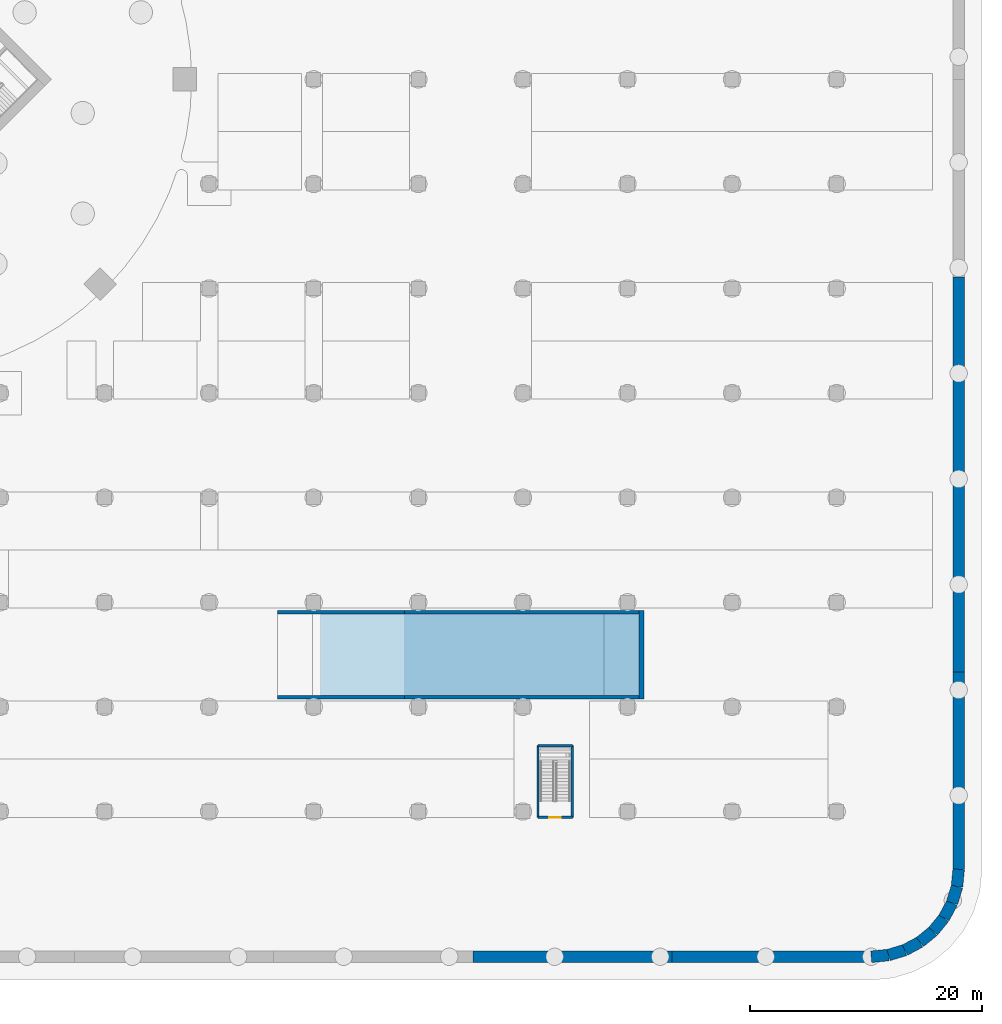
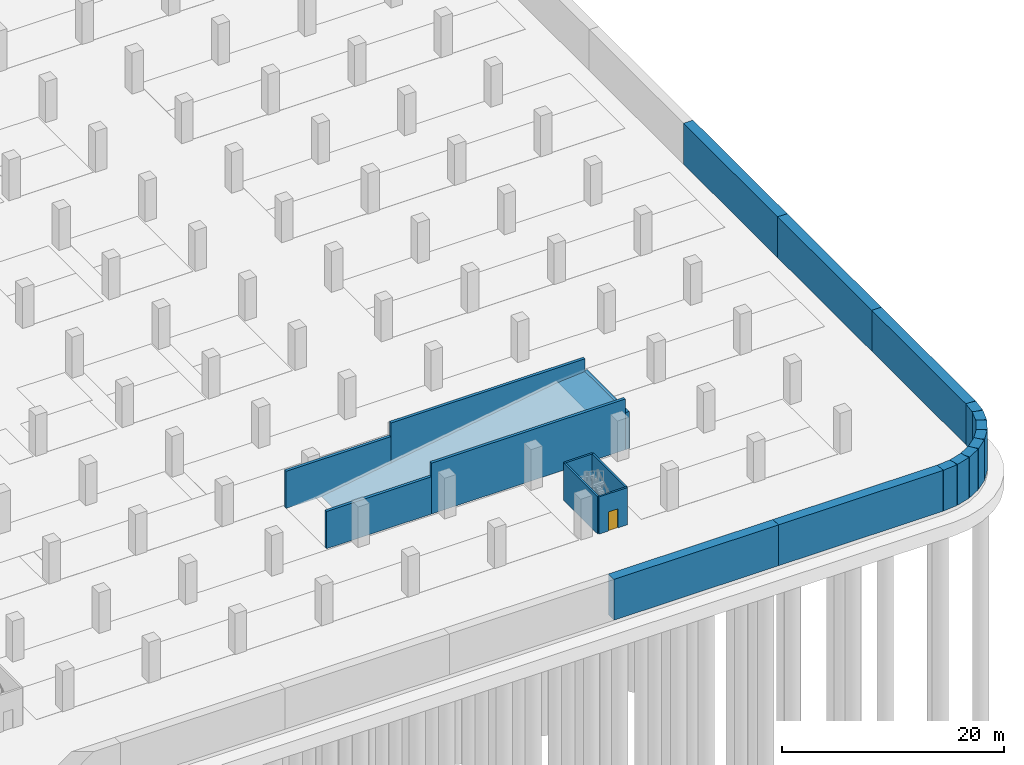
# One storey, part 17 of 39: 23 walls, 1 door, 1 opening.
"""IFC4 building model written with IfcOpenShell, lengths in metres."""

from ifc_helpers import new_model, si_unit, direction, frame, frame_2d, origin, place, context, subcontext, project, spatial, polyline, rectangle, outline, extrude, material, layer, layer_set, type_object, element, fill, save


model = new_model("IFC4")

# Units and contexts
model_context = context("Model", 3, precision=1e-05, world=origin(), true_north=direction((0.0, 1.0)))
body_context = subcontext(model_context, "Body", "Model", "MODEL_VIEW")
ifc_project = project(units=[si_unit("LENGTHUNIT", "METRE"), si_unit("AREAUNIT", "SQUARE_METRE"), si_unit("VOLUMEUNIT", "CUBIC_METRE"), si_unit("PLANEANGLEUNIT", "RADIAN"), si_unit("MASSUNIT", "GRAM", prefix="KILO")], contexts=[model_context])

# Site, building, storey
site_placement = place(None, origin())
site = spatial("IfcSite", under=ifc_project, at=site_placement, CompositionType="ELEMENT")
building_placement = place(site_placement, origin())
building = spatial("IfcBuilding", under=site, at=building_placement, Name="Ogive Gate Towers", CompositionType="ELEMENT")
storey_placement = place(building_placement, frame((0.0, 0.0, -9.0)))
storey = spatial("IfcBuildingStorey", under=building, at=storey_placement, Name="B2", CompositionType="ELEMENT", Elevation=-9.0)

# Wall, opening, door
ifc_material_1 = material(Name="Reinforced concrete C32/40", Category="concrete")
ifc_layer_1 = layer(ifc_material_1, 0.199951171875)
ifc_layer_set_1 = layer_set([ifc_layer_1], Name="Car park stair shaft wall 200")
wall_type_1 = type_object("IfcWallType", Name="Car park stair shaft wall 200", PredefinedType="SOLIDWALL", material=ifc_layer_set_1)
wall_1_placement = place(storey_placement, frame((94.25, -63.5, 0.0), z_axis=(0.0, 0.0, 1.0), x_axis=(-1.0, 0.0, 0.0)))
wall_1 = element("IfcWall", 1, at=wall_1_placement, inside=storey, type_object=wall_type_1, Name="CS8 stair shaft wall B2 1", PredefinedType="SOLIDWALL", context=body_context, shape_type="SweptSolid", body=[
    extrude(rectangle(XDim=2.949951171875, YDim=0.199951171875, at=frame_2d((1.47509765625, 0.0))), origin(), (0.0, 0.0, 1.0), 4.10009765625),
])
opening_placement = place(wall_1_placement, frame((0.97509765625, 0.0, 0.0)))
opening = element("IfcOpeningElement", 2, at=opening_placement, cuts=wall_1, Name="Opening CPD38-B2", PredefinedType="OPENING", context=body_context, shape_type="SweptSolid", body=[
    extrude(rectangle(XDim=1.0, YDim=2.10009765625, at=frame_2d((0.5, 1.050048828125))), frame((0.0, 0.10986328125, 0.0), z_axis=(0.0, -1.0, 0.0), x_axis=(1.0, 0.0, 0.0)), (0.0, 0.0, 1.0), 0.219970703125),
])
ifc_material_2 = material(Name="Painted steel door", Category="steel")
door_type = type_object("IfcDoorType", Name="Stair house door 1000 x 2100", OperationType="SINGLE_SWING_LEFT", PredefinedType="DOOR", material=ifc_material_2)
door_placement = place(opening_placement, origin())
door = element("IfcDoor", 3, at=door_placement, inside=storey, type_object=door_type, Name="Door CS8 stair B2", OperationType="SINGLE_SWING_LEFT", OverallHeight=2.10009765625, OverallWidth=1.0, PredefinedType="DOOR", context=body_context, shape_type="SweptSolid", body=[
    extrude(rectangle(XDim=1.0, YDim=2.10009765625, at=frame_2d((0.5, 1.050048828125))), frame((0.0, 0.02490234375, 0.0), z_axis=(0.0, -1.0, 0.0), x_axis=(1.0, 0.0, 0.0)), (0.0, 0.0, 1.0), 0.050048828125),
])
fill(opening, door)

# Walls
wall_2_placement = place(storey_placement, frame((91.300048828125, -63.5, 0.0), z_axis=(0.0, 0.0, 1.0), x_axis=(0.0, 1.0, 0.0)))
element("IfcWall", 4, at=wall_2_placement, inside=storey, type_object=wall_type_1, Name="CS8 stair shaft wall B2 2", PredefinedType="SOLIDWALL", context=body_context, shape_type="SweptSolid", body=[
    extrude(rectangle(XDim=6.159912109375, YDim=0.199951171875, at=frame_2d((3.080078125, 0.0))), origin(), (0.0, 0.0, 1.0), 4.10009765625),
])
wall_3_placement = place(storey_placement, frame((91.300048828125, -57.340087890625, 0.0), z_axis=(0.0, 0.0, 1.0), x_axis=(1.0, 0.0, 0.0)))
element("IfcWall", 5, at=wall_3_placement, inside=storey, type_object=wall_type_1, Name="CS8 stair shaft wall B2 3", PredefinedType="SOLIDWALL", context=body_context, shape_type="SweptSolid", body=[
    extrude(rectangle(XDim=2.949951171875, YDim=0.199951171875, at=frame_2d((1.47509765625, 0.0))), origin(), (0.0, 0.0, 1.0), 4.10009765625),
])
wall_4_placement = place(storey_placement, frame((94.25, -57.340087890625, 0.0), z_axis=(0.0, 0.0, 1.0), x_axis=(0.0, -1.0, 0.0)))
element("IfcWall", 6, at=wall_4_placement, inside=storey, type_object=wall_type_1, Name="CS8 stair shaft wall B2 4", PredefinedType="SOLIDWALL", context=body_context, shape_type="SweptSolid", body=[
    extrude(rectangle(XDim=6.159912109375, YDim=0.199951171875, at=frame_2d((3.080078125, 0.0))), origin(), (0.0, 0.0, 1.0), 4.10009765625),
])
ifc_material_3 = material(Name="Concrete C32/40", Category="concrete")
ifc_layer_2 = layer(ifc_material_3, 7.0)
ifc_layer_set_2 = layer_set([ifc_layer_2], Name="Ramp bed 7000")
wall_type_2 = type_object("IfcWallType", Name="Ramp bed 7000", PredefinedType="SOLIDWALL", material=ifc_layer_set_2)
wall_5_placement = place(storey_placement, frame((100.0, -49.5, 0.0), z_axis=(0.0, 0.0, 1.0), x_axis=(-1.0, 0.0, 0.0)))
element("IfcWall", 7, at=wall_5_placement, inside=storey, type_object=wall_type_2, Name="Basement car ramp east bed", PredefinedType="SOLIDWALL", context=body_context, shape_type="SweptSolid", body=[
    extrude(outline(polyline([(0.0, 0.0), (27.4375, 0.0), (27.4375, 0.050048828125), (3.0, 3.9599609375), (0.0, 4.199951171875), (0.0, 0.0)])), frame((0.0, 3.5, 0.0), z_axis=(0.0, -1.0, 0.0), x_axis=(1.0, 0.0, 0.0)), (0.0, 0.0, 1.0), 7.0),
])
ifc_layer_3 = layer(ifc_material_3, 0.39990234375)
ifc_layer_set_3 = layer_set([ifc_layer_3], Name="Ramp end wall 400")
wall_type_3 = type_object("IfcWallType", Name="Ramp end wall 400", PredefinedType="SOLIDWALL", material=ifc_layer_set_3)
wall_6_placement = place(storey_placement, frame((100.199951171875, -53.300048828125, 0.0), z_axis=(0.0, 0.0, 1.0), x_axis=(0.0, 1.0, 0.0)))
element("IfcWall", 8, at=wall_6_placement, inside=storey, type_object=wall_type_3, Name="Ramp end wall 18", PredefinedType="SOLIDWALL", context=body_context, shape_type="SweptSolid", body=[
    extrude(rectangle(XDim=7.60009765625, YDim=0.39990234375, at=frame_2d((3.800048828125, 0.0))), origin(), (0.0, 0.0, 1.0), 4.10009765625),
])
ifc_layer_4 = layer(ifc_material_3, 0.300048828125)
ifc_layer_set_4 = layer_set([ifc_layer_4], Name="Ramp wall 300")
wall_type_4 = type_object("IfcWallType", Name="Ramp wall 300", PredefinedType="SOLIDWALL", material=ifc_layer_set_4)
for number, where, z_axis, x_axis, name in (
    (9, (100.0, -53.14990234375, 0.0), (0.0, 0.0, 1.0), (-1.0, 0.0, 0.0), "Ramp wall 14"),
    (10, (100.0, -45.85009765625, 0.0), (0.0, 0.0, 1.0), (-1.0, 0.0, 0.0), "Ramp wall 15"),
):
    element("IfcWall", number, at=place(storey_placement, frame(where, z_axis=z_axis, x_axis=x_axis)), inside=storey, type_object=wall_type_4, Name=name, PredefinedType="SOLIDWALL", context=body_context, shape_type="SweptSolid", body=[
        extrude(rectangle(XDim=20.199951171875, YDim=0.300048828125, at=frame_2d((10.10009765625, 0.0))), origin(), (0.0, 0.0, 1.0), 5.60009765625),
    ])
for number, where, z_axis, x_axis, name in (
    (11, (79.800048828125, -53.14990234375, 0.0), (0.0, 0.0, 1.0), (-1.0, 0.0, 0.0), "Ramp wall 16"),
    (12, (79.800048828125, -45.85009765625, 0.0), (0.0, 0.0, 1.0), (-1.0, 0.0, 0.0), "Ramp wall 17"),
):
    element("IfcWall", number, at=place(storey_placement, frame(where, z_axis=z_axis, x_axis=x_axis)), inside=storey, type_object=wall_type_4, Name=name, PredefinedType="SOLIDWALL", context=body_context, shape_type="SweptSolid", body=[
        extrude(rectangle(XDim=10.925048828125, YDim=0.300048828125, at=frame_2d((5.46240234375, 0.0))), origin(), (0.0, 0.0, 1.0), 4.10009765625),
    ])
ifc_material_4 = material(Name="Concrete C40/50", Category="concrete")
ifc_layer_5 = layer(ifc_material_4, 1.0)
ifc_layer_set_5 = layer_set([ifc_layer_5], Name="Retaining wall 1000")
wall_type_5 = type_object("IfcWallType", Name="Retaining wall 1000", PredefinedType="SOLIDWALL", material=ifc_layer_set_5)
wall_7_placement = place(storey_placement, frame((119.975341796875, -75.5, 0.0), z_axis=(0.0, 0.0, 1.0), x_axis=(-1.0, 0.0, 0.0)))
element("IfcWall", 13, at=wall_7_placement, inside=storey, type_object=wall_type_5, Name="BS/B2/SWL001", PredefinedType="SOLIDWALL", context=body_context, shape_type="SweptSolid", body=[
    extrude(rectangle(XDim=17.13916015625, YDim=1.0, at=frame_2d((8.569580078125, 0.0))), origin(), (0.0, 0.0, 1.0), 4.5),
])
wall_8_placement = place(storey_placement, frame((102.836181640625, -75.5, 0.0), z_axis=(0.0, 0.0, 1.0), x_axis=(-1.0, 0.0, 0.0)))
element("IfcWall", 14, at=wall_8_placement, inside=storey, type_object=wall_type_5, Name="BS/B2/SWL002", PredefinedType="SOLIDWALL", context=body_context, shape_type="SweptSolid", body=[
    extrude(rectangle(XDim=17.139404296875, YDim=1.0, at=frame_2d((8.56982421875, 0.0))), origin(), (0.0, 0.0, 1.0), 4.5),
])
for number, where, z_axis, x_axis, name in (
    (15, (127.5, -16.993896484375, 0.0), (0.0, 0.0, 1.0), (0.0, -1.0, 0.0), "BS/B2/SWL066"),
    (16, (127.5, -33.98779296875, 0.0), (0.0, 0.0, 1.0), (0.0, -1.0, 0.0), "BS/B2/SWL067"),
):
    element("IfcWall", number, at=place(storey_placement, frame(where, z_axis=z_axis, x_axis=x_axis)), inside=storey, type_object=wall_type_5, Name=name, PredefinedType="SOLIDWALL", context=body_context, shape_type="SweptSolid", body=[
        extrude(rectangle(XDim=16.993896484375, YDim=1.0, at=frame_2d((8.4970703125, 0.0))), origin(), (0.0, 0.0, 1.0), 4.5),
    ])
wall_9_placement = place(storey_placement, frame((127.5, -50.981689453125, 0.0), z_axis=(0.0, 0.0, 1.0), x_axis=(0.0, -1.0, 0.0)))
element("IfcWall", 17, at=wall_9_placement, inside=storey, type_object=wall_type_5, Name="BS/B2/SWL068", PredefinedType="SOLIDWALL", context=body_context, shape_type="SweptSolid", body=[
    extrude(rectangle(XDim=16.99365234375, YDim=1.0, at=frame_2d((8.496826171875, 0.0))), origin(), (0.0, 0.0, 1.0), 4.5),
])
wall_10_placement = place(storey_placement, frame((127.5, -67.975341796875, 0.0), z_axis=(0.0, 0.0, 1.0), x_axis=(-0.098015582414, -0.995184880112, 0.0)))
element("IfcWall", 18, at=wall_10_placement, inside=storey, type_object=wall_type_5, Name="BS/B2/SWL069", PredefinedType="SOLIDWALL", context=body_context, shape_type="SweptSolid", body=[
    extrude(rectangle(XDim=1.494384765625, YDim=1.0, at=frame_2d((0.7470703125, 0.0))), origin(), (0.0, 0.0, 1.0), 4.5),
])
for number, where, z_axis, x_axis, name in (
    (19, (127.353515625, -69.462646484375, 0.0), (0.0, 0.0, 1.0), (-0.290348524206, -0.956920965645, 0.0), "BS/B2/SWL070"),
    (20, (126.9267578125, -70.869140625, 0.0), (0.0, 0.0, 1.0), (-0.471234704339, -0.882007853381, 0.0), "BS/B2/SWL071"),
    (21, (126.234130859375, -72.16552734375, 0.0), (0.0, 0.0, 1.0), (-0.634530405868, -0.772897900132, 0.0), "BS/B2/SWL072"),
    (22, (125.301513671875, -73.301513671875, 0.0), (0.0, 0.0, 1.0), (-0.772897900132, -0.634530405868, 0.0), "BS/B2/SWL073"),
    (23, (124.16552734375, -74.234130859375, 0.0), (0.0, 0.0, 1.0), (-0.882007853381, -0.471234704339, 0.0), "BS/B2/SWL074"),
    (24, (122.869140625, -74.9267578125, 0.0), (0.0, 0.0, 1.0), (-0.956920965645, -0.290348524206, 0.0), "BS/B2/SWL075"),
):
    element("IfcWall", number, at=place(storey_placement, frame(where, z_axis=z_axis, x_axis=x_axis)), inside=storey, type_object=wall_type_5, Name=name, PredefinedType="SOLIDWALL", context=body_context, shape_type="SweptSolid", body=[
        extrude(rectangle(XDim=1.4697265625, YDim=1.0, at=frame_2d((0.73486328125, 0.0))), origin(), (0.0, 0.0, 1.0), 4.5),
    ])
wall_11_placement = place(storey_placement, frame((121.462646484375, -75.353515625, 0.0), z_axis=(0.0, 0.0, 1.0), x_axis=(-0.995184880112, -0.098015582414, 0.0)))
element("IfcWall", 25, at=wall_11_placement, inside=storey, type_object=wall_type_5, Name="BS/B2/SWL076", PredefinedType="SOLIDWALL", context=body_context, shape_type="SweptSolid", body=[
    extrude(rectangle(XDim=1.494384765625, YDim=1.0, at=frame_2d((0.7470703125, 0.0))), origin(), (0.0, 0.0, 1.0), 4.5),
])

save(model, "model.ifc")
